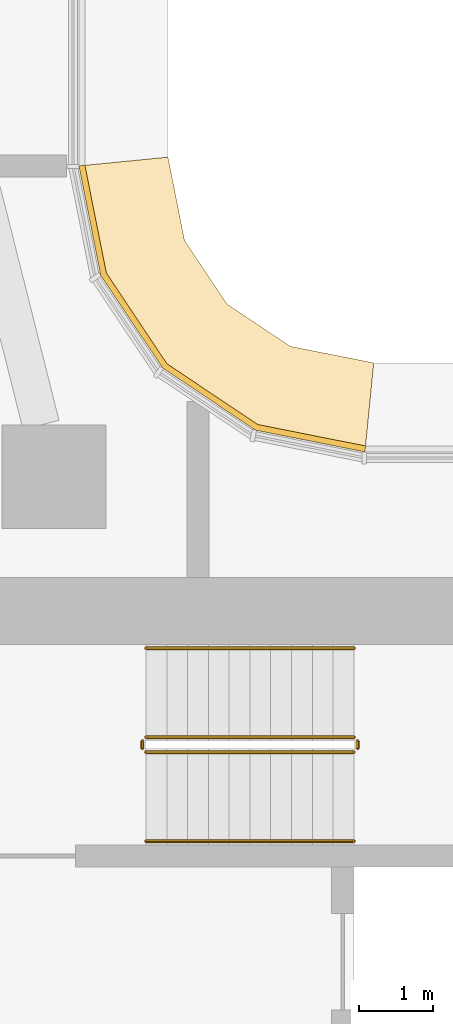
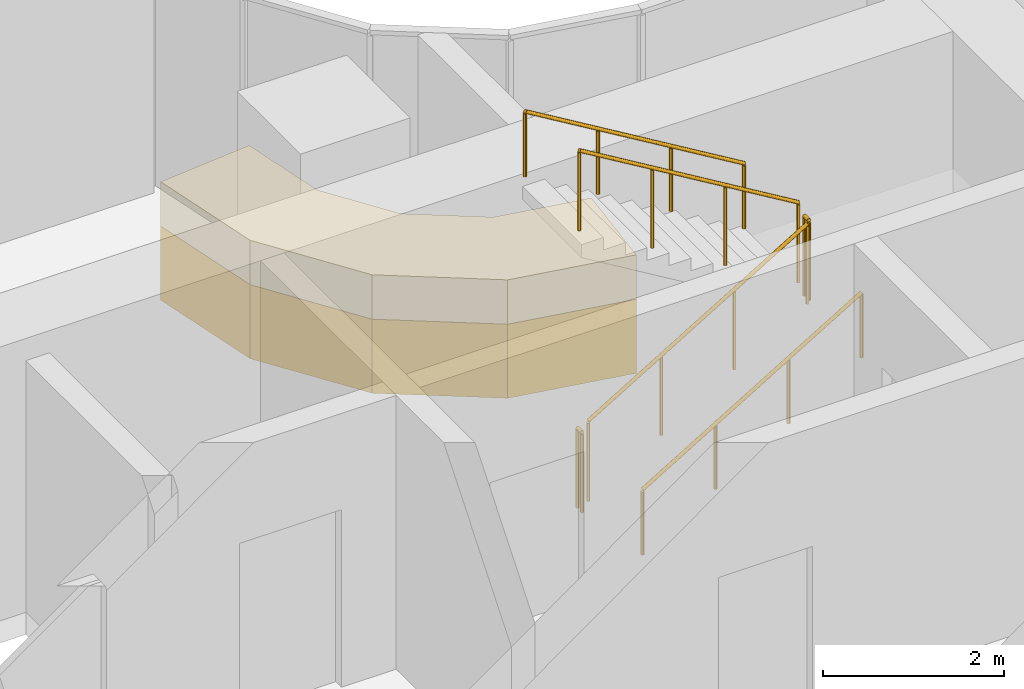
# One storey, part 29 of 36: 6 railings, 2 coverings.
"""IFC4 building model written with IfcOpenShell, lengths in metres."""

import ifcopenshell
import ifcopenshell.guid

model = None  # the IFC model being written
_history = None  # IfcOwnerHistory: only IFC2X3 demands one
_inside = {}  # id of a spatial element -> (the spatial element, [elements in it])
_under = {}  # id of a project, library or spatial element -> (it, [spatial elements below it])
_declared = {}  # id of a project -> (the project, [libraries it declares])
_typed = {}  # id of a type object -> (the type object, [elements of that type])
_made_of = {}  # id of a material, layer set ... -> (it, [elements and type objects made of it])


def new_model(schema):
    """Start an empty IFC model of exactly this schema.

    Asked for "IFC4X3", IfcOpenShell would pick the latest addendum, in which some entities
    have other attributes; the version numbers below select the first issue.
    IFC2X3 requires an IfcOwnerHistory on every rooted entity: one is made here for all.
    """
    global model, _history
    if schema == "IFC4X3":
        model = ifcopenshell.file(schema_version=(4, 3, 0, 0))
    else:
        model = ifcopenshell.file(schema=schema)
    _inside.clear()
    _under.clear()
    _declared.clear()
    _typed.clear()
    _made_of.clear()
    _history = None
    if model.schema == "IFC2X3":
        org = make("IfcOrganization", Name="unknown")
        user = make(
            "IfcPersonAndOrganization",
            ThePerson=make("IfcPerson", FamilyName="unknown"),
            TheOrganization=org,
        )
        app = make(
            "IfcApplication",
            ApplicationDeveloper=org,
            Version="unknown",
            ApplicationFullName="unknown",
            ApplicationIdentifier="unknown",
        )
        _history = make(
            "IfcOwnerHistory",
            OwningUser=user,
            OwningApplication=app,
            ChangeAction="ADDED",
            CreationDate=0,
        )
    return model


def make(cls, **values):
    """One entity of the class cls with the attributes given. An attribute that is None is left unset."""
    return model.create_entity(
        cls, **{name: value for name, value in values.items() if value is not None}
    )


def rooted(cls, **values):
    """An entity with a GlobalId (a new one), such as an element, a storey or a relation."""
    return make(cls, GlobalId=ifcopenshell.guid.new(), OwnerHistory=_history, **values)


def si_unit(unit_type, name, prefix=None):
    """IfcSIUnit, for example si_unit("LENGTHUNIT", "METRE", prefix="MILLI")."""
    return make("IfcSIUnit", UnitType=unit_type, Prefix=prefix, Name=name)


def assignment(units):
    """IfcUnitAssignment: the units of a project."""
    return None if units is None else make("IfcUnitAssignment", Units=units)


def point(xyz):
    """IfcCartesianPoint."""
    return None if xyz is None else make("IfcCartesianPoint", Coordinates=xyz)


def direction(xyz):
    """IfcDirection."""
    return None if xyz is None else make("IfcDirection", DirectionRatios=xyz)


def frame(location, z_axis=None, x_axis=None):
    """IfcAxis2Placement3D, a coordinate frame: its origin and axes. An axis left out is left unset."""
    return make(
        "IfcAxis2Placement3D",
        Location=point(location),
        Axis=direction(z_axis),
        RefDirection=direction(x_axis),
    )


def frame_2d(location, x_axis=None):
    """IfcAxis2Placement2D, a coordinate frame in the plane: its origin and x axis."""
    return make(
        "IfcAxis2Placement2D", Location=point(location), RefDirection=direction(x_axis)
    )


def origin():
    """The frame at (0, 0, 0) with its axes left unset."""
    return frame((0.0, 0.0, 0.0))


def origin_2d():
    """The frame at (0, 0) in the plane with its x axis left unset."""
    return frame_2d((0.0, 0.0))


def place(relative_to, where):
    """IfcLocalPlacement: puts the frame where relative to a parent placement (None: the world)."""
    return make(
        "IfcLocalPlacement", PlacementRelTo=relative_to, RelativePlacement=where
    )


def context(
    kind, dimensions, precision=None, world=None, true_north=None, identifier=None
):
    """IfcGeometricRepresentationContext, for example the 3D "Model" context."""
    return make(
        "IfcGeometricRepresentationContext",
        ContextIdentifier=identifier,
        ContextType=kind,
        CoordinateSpaceDimension=dimensions,
        Precision=precision,
        WorldCoordinateSystem=world,
        TrueNorth=true_north,
    )


def subcontext(parent, identifier, kind, view, scale=None):
    """IfcGeometricRepresentationSubContext, for example "Body" below "Model"."""
    return make(
        "IfcGeometricRepresentationSubContext",
        ContextIdentifier=identifier,
        ContextType=kind,
        ParentContext=parent,
        TargetScale=scale,
        TargetView=view,
    )


def project(units=None, contexts=None):
    """IfcProject with its units and contexts."""
    return rooted(
        "IfcProject",
        Name="project",
        RepresentationContexts=contexts,
        UnitsInContext=assignment(units),
    )


def spatial(cls, under=None, at=None, **own):
    """A site, building, storey or space (cls), placed at a placement, below another one or the project."""
    s = rooted(cls, ObjectPlacement=at, **own)
    if under is not None:
        _under.setdefault(under.id(), (under, []))[1].append(s)
    return s


def polyline(points):
    """IfcPolyline through the points."""
    return make("IfcPolyline", Points=[point(p) for p in points])


def profile(cls, at=None, kind="AREA", **sizes):
    """A parametric profile (cls). Its sizes go by their IFC names, for example OverallWidth=200.0."""
    return make(cls, ProfileType=kind, Position=at, **sizes)


def circle(**sizes):
    """IfcCircleProfileDef."""
    return profile("IfcCircleProfileDef", **sizes)


def outline(outer, holes=None, kind="AREA"):
    """IfcArbitraryClosedProfileDef: a profile drawn as a closed curve; with holes, ...WithVoids."""
    if holes is None:
        return make("IfcArbitraryClosedProfileDef", ProfileType=kind, OuterCurve=outer)
    return make(
        "IfcArbitraryProfileDefWithVoids",
        ProfileType=kind,
        OuterCurve=outer,
        InnerCurves=holes,
    )


def extrude(swept, where, along, depth):
    """IfcExtrudedAreaSolid: the profile swept, set in the frame where, extruded along a direction by depth."""
    return make(
        "IfcExtrudedAreaSolid",
        SweptArea=swept,
        Position=where,
        ExtrudedDirection=direction(along),
        Depth=depth,
    )


def shape(context_of_items, identifier, shape_type, items):
    """IfcShapeRepresentation: the items that make up one representation, for example the "Body"."""
    return make(
        "IfcShapeRepresentation",
        ContextOfItems=context_of_items,
        RepresentationIdentifier=identifier,
        RepresentationType=shape_type,
        Items=items,
    )


def material(Name=None, Category=None):
    """IfcMaterial."""
    return make("IfcMaterial", Name=Name, Category=Category)


def layer(
    of_material, thickness, ventilated=None, Name=None, Category=None, Priority=None
):
    """IfcMaterialLayer: one layer of a wall or slab, of a material (None: an air gap)."""
    return make(
        "IfcMaterialLayer",
        Material=of_material,
        LayerThickness=thickness,
        IsVentilated=ventilated,
        Name=Name,
        Category=Category,
        Priority=Priority,
    )


def layer_set(layers, Name=None):
    """IfcMaterialLayerSet."""
    return make("IfcMaterialLayerSet", MaterialLayers=layers, LayerSetName=Name)


def made_of(thing, what):
    """Note that an element or type object is made of a material, layer set ...; save() writes the relation."""
    if what is not None:
        _made_of.setdefault(what.id(), (what, []))[1].append(thing)
    return thing


def type_object(cls, material=None, **own):
    """A type object (cls), such as IfcWallType, which elements share."""
    return made_of(rooted(cls, **own), material)


def element(
    cls,
    number,
    at=None,
    inside=None,
    cuts=None,
    type_object=None,
    material=None,
    context=None,
    identifier="Body",
    shape_type=None,
    held_by="IfcProductDefinitionShape",
    body=None,
    shapes=None,
    **own,
):
    """One element of the class cls, such as IfcWall. Its Tag is "e" and its number.

    at: its placement. inside: the storey or other place that contains it. cuts: it is an
    opening in that element (IfcRelVoidsElement). A single representation is given by context,
    identifier, shape_type and body (its items); several are given by shapes. held_by: the class
    of the entity that holds the representations. save() writes the other relations.
    """
    e = rooted(cls, Tag="e%d" % number, ObjectPlacement=at, **own)
    if body is not None:
        shapes = [shape(context, identifier, shape_type, body)]
    if shapes is not None:
        e.Representation = make(held_by, Representations=shapes)
    if inside is not None:
        _inside.setdefault(inside.id(), (inside, []))[1].append(e)
    if cuts is not None:
        rooted(
            "IfcRelVoidsElement", RelatingBuildingElement=cuts, RelatedOpeningElement=e
        )
    if type_object is not None:
        _typed.setdefault(type_object.id(), (type_object, []))[1].append(e)
    return made_of(e, material)


def aggregate(whole, parts):
    """IfcRelAggregates: a whole, such as a stair, and the parts it consists of."""
    return rooted("IfcRelAggregates", RelatingObject=whole, RelatedObjects=parts)


def save(model, path):
    """Write the relations noted so far, then the file.

    IfcRelAggregates (storeys below a building ...), IfcRelContainedInSpatialStructure (elements
    in a storey), IfcRelDefinesByType, IfcRelAssociatesMaterial and IfcRelDeclares: one each for
    every whole, place, type object, material and project.
    """
    for whole, parts in _under.values():
        aggregate(whole, parts)
    for where, things in _inside.values():
        rooted(
            "IfcRelContainedInSpatialStructure",
            RelatedElements=things,
            RelatingStructure=where,
        )
    for kind, things in _typed.values():
        rooted("IfcRelDefinesByType", RelatedObjects=things, RelatingType=kind)
    for what, things in _made_of.values():
        rooted("IfcRelAssociatesMaterial", RelatedObjects=things, RelatingMaterial=what)
    for by, libraries in _declared.values():
        rooted("IfcRelDeclares", RelatingContext=by, RelatedDefinitions=libraries)
    model.write(path)


model = new_model("IFC4")

# Units and contexts
model_context = context("Model", 3, precision=1e-05, world=origin(), true_north=direction((0.0, 1.0)))
body_context = subcontext(model_context, "Body", "Model", "MODEL_VIEW")
ifc_project = project(units=[si_unit("LENGTHUNIT", "METRE"), si_unit("AREAUNIT", "SQUARE_METRE"), si_unit("VOLUMEUNIT", "CUBIC_METRE"), si_unit("PLANEANGLEUNIT", "RADIAN"), si_unit("MASSUNIT", "GRAM", prefix="KILO")], contexts=[model_context])

# Site, building, storey
site_placement = place(None, origin())
site = spatial("IfcSite", under=ifc_project, at=site_placement, CompositionType="ELEMENT")
building_placement = place(site_placement, origin())
building = spatial("IfcBuilding", under=site, at=building_placement, Name="Ogive Portal Towers", CompositionType="ELEMENT")
storey_placement = place(building_placement, frame((0.0, 0.0, 52.0)))
storey = spatial("IfcBuildingStorey", under=building, at=storey_placement, Name="L11", CompositionType="ELEMENT", Elevation=52.0)

# Railings
ifc_material_1 = material(Name="Stainless steel balustrade", Category="steel")
railing_type_1 = type_object("IfcRailingType", Name="INT-GUARD", PredefinedType="GUARDRAIL", material=ifc_material_1)
railing_1_placement = place(storey_placement, frame((52.550048828125, 37.60009765625, 0.168212890625)))
element("IfcRailing", 1, at=railing_1_placement, inside=storey, type_object=railing_type_1, Name="L11 ST-A2 stair guard 1", PredefinedType="GUARDRAIL", context=body_context, shape_type="SweptSolid", body=[
    extrude(circle(Radius=0.02392578125, at=origin_2d()), frame((0.0, 0.0, 1.076171875), z_axis=(0.857242210791, 0.0, 0.514913383045), x_axis=(0.0, 1.0, 0.0)), (0.0, 0.0, 1.0), 3.266357421875),
    extrude(circle(Radius=0.02099609375, at=origin_2d()), origin(), (0.0, 0.0, 1.0), 1.052001953125),
    extrude(circle(Radius=0.02099609375, at=origin_2d()), frame((0.933349609375, 0.0, 0.560546875)), (0.0, 0.0, 1.0), 1.052001953125),
    extrude(circle(Radius=0.02099609375, at=origin_2d()), frame((1.86669921875, 0.0, 1.121337890625)), (0.0, 0.0, 1.0), 1.052001953125),
    extrude(circle(Radius=0.02099609375, at=origin_2d()), frame((2.800048828125, 0.0, 1.681884765625)), (0.0, 0.0, 1.0), 1.052001953125),
])
railing_2_placement = place(storey_placement, frame((55.39990234375, 37.64990234375, 1.85009765625)))
element("IfcRailing", 2, at=railing_2_placement, inside=storey, type_object=railing_type_1, Name="L11 ST-A2 stair guard 2", PredefinedType="GUARDRAIL", context=body_context, shape_type="SweptSolid", body=[
    extrude(circle(Radius=0.02392578125, at=origin_2d()), frame((0.0, 0.0, 1.076171875), z_axis=(0.0, 1.0, 0.0), x_axis=(-1.0, 0.0, 0.0)), (0.0, 0.0, 1.0), 0.10009765625),
    extrude(circle(Radius=0.02099609375, at=origin_2d()), origin(), (0.0, 0.0, 1.0), 1.052001953125),
    extrude(circle(Radius=0.02099609375, at=origin_2d()), frame((0.0, 0.10009765625, 0.0)), (0.0, 0.0, 1.0), 1.052001953125),
])
railing_3_placement = place(storey_placement, frame((55.35009765625, 37.800048828125, 2.01806640625)))
element("IfcRailing", 3, at=railing_3_placement, inside=storey, type_object=railing_type_1, Name="L11 ST-A2 stair guard 3", PredefinedType="GUARDRAIL", context=body_context, shape_type="SweptSolid", body=[
    extrude(circle(Radius=0.02392578125, at=origin_2d()), frame((0.0, 0.0, 1.076171875), z_axis=(-0.857242210791, 0.0, 0.514913383045), x_axis=(0.0, -1.0, 0.0)), (0.0, 0.0, 1.0), 3.266357421875),
    extrude(circle(Radius=0.02099609375, at=origin_2d()), origin(), (0.0, 0.0, 1.0), 1.052001953125),
    extrude(circle(Radius=0.02099609375, at=origin_2d()), frame((-0.933349609375, 0.0, 0.560546875)), (0.0, 0.0, 1.0), 1.052001953125),
    extrude(circle(Radius=0.02099609375, at=origin_2d()), frame((-1.86669921875, 0.0, 1.121337890625)), (0.0, 0.0, 1.0), 1.052001953125),
    extrude(circle(Radius=0.02099609375, at=origin_2d()), frame((-2.800048828125, 0.0, 1.681884765625)), (0.0, 0.0, 1.0), 1.052001953125),
])
railing_4_placement = place(storey_placement, frame((52.5, 37.64990234375, 0.0)))
element("IfcRailing", 4, at=railing_4_placement, inside=storey, type_object=railing_type_1, Name="L11 ST-A2 stair guard 4", PredefinedType="GUARDRAIL", context=body_context, shape_type="SweptSolid", body=[
    extrude(circle(Radius=0.02392578125, at=origin_2d()), frame((0.0, 0.0, 1.076171875), z_axis=(0.0, 1.0, 0.0), x_axis=(-1.0, 0.0, 0.0)), (0.0, 0.0, 1.0), 0.10009765625),
    extrude(circle(Radius=0.02099609375, at=origin_2d()), origin(), (0.0, 0.0, 1.0), 1.052001953125),
    extrude(circle(Radius=0.02099609375, at=origin_2d()), frame((0.0, 0.10009765625, 0.0)), (0.0, 0.0, 1.0), 1.052001953125),
])
ifc_material_2 = material(Name="Stainless steel handrail", Category="steel")
railing_type_2 = type_object("IfcRailingType", Name="INT-HANDRAIL", PredefinedType="HANDRAIL", material=ifc_material_2)
railing_5_placement = place(storey_placement, frame((52.550048828125, 36.39990234375, 0.168212890625)))
element("IfcRailing", 5, at=railing_5_placement, inside=storey, type_object=railing_type_2, Name="L11 ST-A2 stair handrail 1", PredefinedType="HANDRAIL", context=body_context, shape_type="SweptSolid", body=[
    extrude(circle(Radius=0.02392578125, at=origin_2d()), frame((0.0, 0.0, 0.8759765625), z_axis=(0.857242210791, 0.0, 0.514913383045), x_axis=(0.0, 1.0, 0.0)), (0.0, 0.0, 1.0), 3.266357421875),
    extrude(circle(Radius=0.02099609375, at=origin_2d()), origin(), (0.0, 0.0, 1.0), 0.851806640625),
    extrude(circle(Radius=0.02099609375, at=origin_2d()), frame((0.933349609375, 0.0, 0.560546875)), (0.0, 0.0, 1.0), 0.851806640625),
    extrude(circle(Radius=0.02099609375, at=origin_2d()), frame((1.86669921875, 0.0, 1.121337890625)), (0.0, 0.0, 1.0), 0.851806640625),
    extrude(circle(Radius=0.02099609375, at=origin_2d()), frame((2.800048828125, 0.0, 1.681884765625)), (0.0, 0.0, 1.0), 0.851806640625),
])
railing_6_placement = place(storey_placement, frame((55.35009765625, 39.0, 2.01806640625)))
element("IfcRailing", 6, at=railing_6_placement, inside=storey, type_object=railing_type_2, Name="L11 ST-A2 stair handrail 2", PredefinedType="HANDRAIL", context=body_context, shape_type="SweptSolid", body=[
    extrude(circle(Radius=0.02392578125, at=origin_2d()), frame((0.0, 0.0, 0.8759765625), z_axis=(-0.857242210791, 0.0, 0.514913383045), x_axis=(0.0, -1.0, 0.0)), (0.0, 0.0, 1.0), 3.266357421875),
    extrude(circle(Radius=0.02099609375, at=origin_2d()), origin(), (0.0, 0.0, 1.0), 0.851806640625),
    extrude(circle(Radius=0.02099609375, at=origin_2d()), frame((-0.933349609375, 0.0, 0.560546875)), (0.0, 0.0, 1.0), 0.851806640625),
    extrude(circle(Radius=0.02099609375, at=origin_2d()), frame((-1.86669921875, 0.0, 1.121337890625)), (0.0, 0.0, 1.0), 0.851806640625),
    extrude(circle(Radius=0.02099609375, at=origin_2d()), frame((-2.800048828125, 0.0, 1.681884765625)), (0.0, 0.0, 1.0), 0.851806640625),
])

# Coverings
ifc_material_3 = material(Name="Limestone cladding on lightweight block wall", Category="masonry")
ifc_layer_1 = layer(ifc_material_3, 0.080078125)
ifc_layer_set_1 = layer_set([ifc_layer_1], Name="STONE SPANDREL 80")
covering_type_1 = type_object("IfcCoveringType", Name="STONE SPANDREL 80", PredefinedType="CLADDING", material=ifc_layer_set_1)
covering_1_placement = place(storey_placement, frame((0.0, 0.0, -1.60009765625)))
element("IfcCovering", 7, at=covering_1_placement, inside=storey, type_object=covering_type_1, Name="Stone spandrel A1-F10", PredefinedType="CLADDING", context=body_context, shape_type="SweptSolid", body=[
    extrude(outline(polyline([(55.5, 41.64501953125), (54.024658203125, 41.9384765625), (52.774169921875, 42.774169921875), (51.9384765625, 44.024658203125), (51.64501953125, 45.5), (51.72509765625, 45.5078125), (52.013916015625, 44.055908203125), (52.831787109375, 42.831787109375), (54.055908203125, 42.013916015625), (55.5078125, 41.72509765625), (55.5, 41.64501953125)])), origin(), (0.0, 0.0, 1.0), 1.0),
])
ifc_layer_2 = layer(ifc_material_3, 0.60009765625)
ifc_layer_set_2 = layer_set([ifc_layer_2], Name="SUNSHADE LIP 600")
covering_type_2 = type_object("IfcCoveringType", Name="SUNSHADE LIP 600", PredefinedType="CLADDING", material=ifc_layer_set_2)
covering_2_placement = place(storey_placement, frame((0.0, 0.0, -0.60009765625)))
element("IfcCovering", 8, at=covering_2_placement, inside=storey, type_object=covering_type_2, Name="Sunshade lip A1-F10", PredefinedType="CLADDING", context=body_context, shape_type="SweptSolid", body=[
    extrude(outline(polyline([(55.5, 41.64501953125), (54.024658203125, 41.9384765625), (52.774169921875, 42.774169921875), (51.9384765625, 44.024658203125), (51.64501953125, 45.5), (52.844970703125, 45.6181640625), (53.06884765625, 44.492919921875), (53.63916015625, 43.63916015625), (54.492919921875, 43.06884765625), (55.6181640625, 42.844970703125), (55.5, 41.64501953125)])), origin(), (0.0, 0.0, 1.0), 0.60009765625),
])

save(model, "model.ifc")
